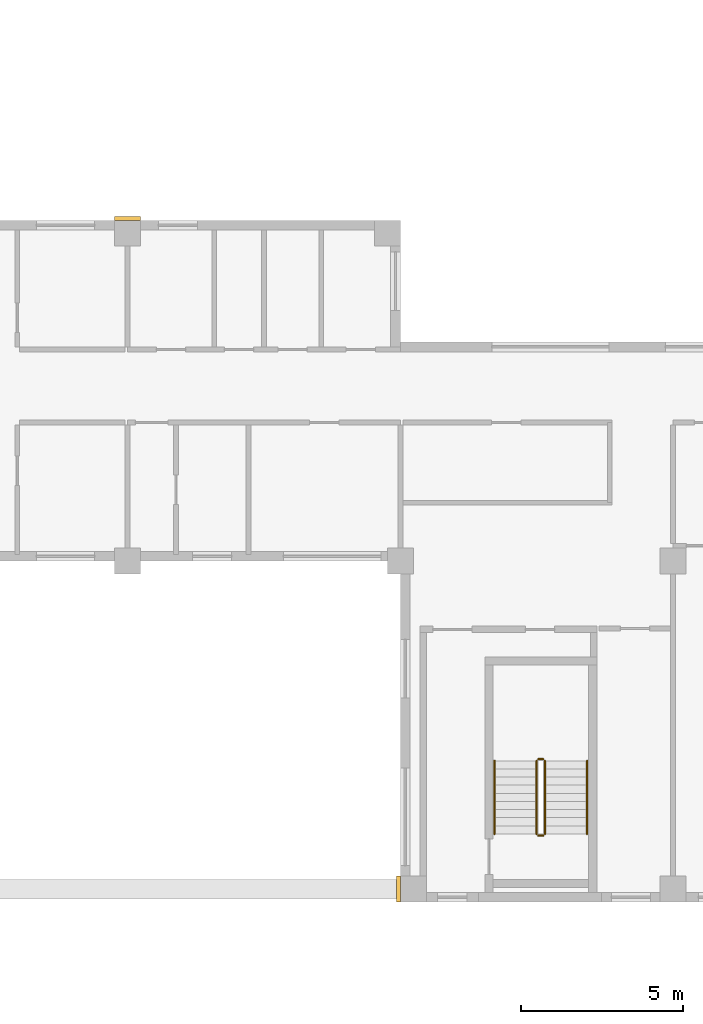
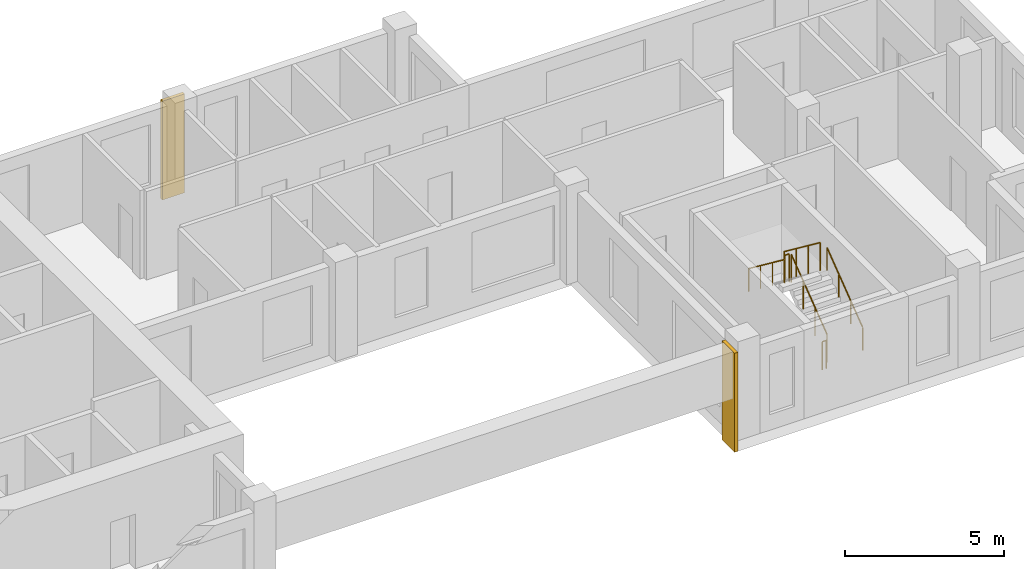
# One storey, part 10 of 11: 6 railings, 2 coverings.
"""IFC4 building model written with IfcOpenShell, lengths in metres."""

from ifc_helpers import new_model, si_unit, direction, frame, origin, origin_2d, place, context, subcontext, project, spatial, rectangle, circle, extrude, source, transform, mapped, material, type_object, element, save


model = new_model("IFC4")

# Units and contexts
model_context = context("Model", 3, precision=1e-05, world=origin(), true_north=direction((0.0, 1.0)))
body_context = subcontext(model_context, "Body", "Model", "MODEL_VIEW")
ifc_project = project(units=[si_unit("LENGTHUNIT", "METRE"), si_unit("AREAUNIT", "SQUARE_METRE"), si_unit("VOLUMEUNIT", "CUBIC_METRE"), si_unit("PLANEANGLEUNIT", "RADIAN"), si_unit("MASSUNIT", "GRAM", prefix="KILO")], contexts=[model_context])

# Site, building, storey
site_placement = place(None, origin())
site = spatial("IfcSite", under=ifc_project, at=site_placement, CompositionType="ELEMENT")
building_placement = place(site_placement, origin())
building = spatial("IfcBuilding", under=site, at=building_placement, Name="Aurelian Terraces", CompositionType="ELEMENT")
storey_placement = place(building_placement, frame((0.0, 0.0, 261.4)))
storey = spatial("IfcBuildingStorey", under=building, at=storey_placement, Name="L60", CompositionType="ELEMENT", Elevation=261.4)

# Coverings
ifc_material_1 = material(Name="Terracotta rainscreen cladding relief", Category="masonry")
covering_type = type_object("IfcCoveringType", Name="BAGUETTE-TC", PredefinedType="CLADDING", material=ifc_material_1)
shared_shape_1 = source(origin(), body_context, "Body", "SweptSolid", [
    extrude(rectangle(XDim=0.8, YDim=0.12, at=origin_2d()), origin(), (0.0, 0.0, 1.0), 3.8),
])
covering_1_placement = place(storey_placement, frame((29.4, 21.06, -0.4), z_axis=(0.0, 0.0, 1.0), x_axis=(1.0, 0.0, 0.0)))
element("IfcCovering", 1, at=covering_1_placement, inside=storey, type_object=covering_type, Name="BAGUETTE pier L60 4", PredefinedType="CLADDING", context=body_context, shape_type="MappedRepresentation", body=[
    mapped(shared_shape_1, transform((0.0, 0.0, 0.0), scale=1.0)),
])
shared_shape_2 = source(origin(), body_context, "Body", "SweptSolid", [
    extrude(rectangle(XDim=0.12, YDim=0.8, at=origin_2d()), origin(), (0.0, 0.0, 1.0), 3.8),
])
covering_2_placement = place(storey_placement, frame((37.74, 0.4, -0.4), z_axis=(0.0, 0.0, 1.0), x_axis=(1.0, 0.0, 0.0)))
element("IfcCovering", 2, at=covering_2_placement, inside=storey, type_object=covering_type, Name="BAGUETTE pier L60 2", PredefinedType="CLADDING", context=body_context, shape_type="MappedRepresentation", body=[
    mapped(shared_shape_2, transform((0.0, 0.0, 0.0), scale=1.0)),
])

# Railings
ifc_material_2 = material(Name="Stainless steel", Category="steel")
railing_type_1 = type_object("IfcRailingType", Name="Stair guard 1100", PredefinedType="GUARDRAIL", material=ifc_material_2)
shared_shape_3 = source(origin(), body_context, "Body", "SweptSolid", [
    extrude(circle(Radius=0.024, at=origin_2d()), frame((0.0, 0.0, 1.076), z_axis=(-1.0, 0.0, 0.0), x_axis=(0.0, -1.0, 0.0)), (0.0, 0.0, 1.0), 0.15),
    extrude(circle(Radius=0.021, at=origin_2d()), origin(), (0.0, 0.0, 1.0), 1.052),
    extrude(circle(Radius=0.021, at=origin_2d()), frame((-0.15, 0.0, 0.0)), (0.0, 0.0, 1.0), 1.052),
])
for number, where, name in (
    (3, (42.2, 4.4, 1.9), "L60 S2 stair guard 2"),
    (4, (42.2, 2.05, 0.0), "L60 S2 stair guard 4"),
):
    element("IfcRailing", number, at=place(storey_placement, frame(where)), inside=storey, type_object=railing_type_1, Name=name, PredefinedType="GUARDRAIL", context=body_context, shape_type="MappedRepresentation", body=[
        mapped(shared_shape_3, transform((0.0, 0.0, 0.0), scale=1.0)),
    ])
shared_shape_4 = source(origin(), body_context, "Body", "SweptSolid", [
    extrude(circle(Radius=0.024, at=origin_2d()), frame((0.0, 0.0, 1.076), z_axis=(0.0, 0.796162194123, 0.605083267534), x_axis=(-1.0, 0.0, 0.0)), (0.0, 0.0, 1.0), 2.8261),
    extrude(circle(Radius=0.021, at=origin_2d()), origin(), (0.0, 0.0, 1.0), 1.052),
    extrude(circle(Radius=0.021, at=origin_2d()), frame((0.0, 0.75, 0.57)), (0.0, 0.0, 1.0), 1.052),
    extrude(circle(Radius=0.021, at=origin_2d()), frame((0.0, 1.5, 1.14)), (0.0, 0.0, 1.0), 1.052),
    extrude(circle(Radius=0.021, at=origin_2d()), frame((0.0, 2.25, 1.71)), (0.0, 0.0, 1.0), 1.052),
])
railing_1_placement = place(storey_placement, frame((42.25, 2.1, 0.19)))
element("IfcRailing", 5, at=railing_1_placement, inside=storey, type_object=railing_type_1, Name="L60 S2 stair guard 1", PredefinedType="GUARDRAIL", context=body_context, shape_type="MappedRepresentation", body=[
    mapped(shared_shape_4, transform((0.0, 0.0, 0.0), scale=1.0)),
])
shared_shape_5 = source(origin(), body_context, "Body", "SweptSolid", [
    extrude(circle(Radius=0.024, at=origin_2d()), frame((0.0, 0.0, 1.076), z_axis=(0.0, -0.796162194123, 0.605083267534), x_axis=(1.0, 0.0, 0.0)), (0.0, 0.0, 1.0), 2.8261),
    extrude(circle(Radius=0.021, at=origin_2d()), origin(), (0.0, 0.0, 1.0), 1.052),
    extrude(circle(Radius=0.021, at=origin_2d()), frame((0.0, -0.75, 0.57)), (0.0, 0.0, 1.0), 1.052),
    extrude(circle(Radius=0.021, at=origin_2d()), frame((0.0, -1.5, 1.14)), (0.0, 0.0, 1.0), 1.052),
    extrude(circle(Radius=0.021, at=origin_2d()), frame((0.0, -2.25, 1.71)), (0.0, 0.0, 1.0), 1.052),
])
railing_2_placement = place(storey_placement, frame((42.0, 4.35, 2.09)))
element("IfcRailing", 6, at=railing_2_placement, inside=storey, type_object=railing_type_1, Name="L60 S2 stair guard 3", PredefinedType="GUARDRAIL", context=body_context, shape_type="MappedRepresentation", body=[
    mapped(shared_shape_5, transform((0.0, 0.0, 0.0), scale=1.0)),
])
railing_type_2 = type_object("IfcRailingType", Name="Stair handrail", PredefinedType="HANDRAIL", material=ifc_material_2)
shared_shape_6 = source(origin(), body_context, "Body", "SweptSolid", [
    extrude(circle(Radius=0.024, at=origin_2d()), frame((0.0, 0.0, 0.876), z_axis=(0.0, 0.796162194123, 0.605083267534), x_axis=(-1.0, 0.0, 0.0)), (0.0, 0.0, 1.0), 2.8261),
    extrude(circle(Radius=0.021, at=origin_2d()), origin(), (0.0, 0.0, 1.0), 0.852),
    extrude(circle(Radius=0.021, at=origin_2d()), frame((0.0, 0.75, 0.57)), (0.0, 0.0, 1.0), 0.852),
    extrude(circle(Radius=0.021, at=origin_2d()), frame((0.0, 1.5, 1.14)), (0.0, 0.0, 1.0), 0.852),
    extrude(circle(Radius=0.021, at=origin_2d()), frame((0.0, 2.25, 1.71)), (0.0, 0.0, 1.0), 0.852),
])
railing_3_placement = place(storey_placement, frame((43.55, 2.1, 0.19)))
element("IfcRailing", 7, at=railing_3_placement, inside=storey, type_object=railing_type_2, Name="L60 S2 stair handrail 1", PredefinedType="HANDRAIL", context=body_context, shape_type="MappedRepresentation", body=[
    mapped(shared_shape_6, transform((0.0, 0.0, 0.0), scale=1.0)),
])
shared_shape_7 = source(origin(), body_context, "Body", "SweptSolid", [
    extrude(circle(Radius=0.024, at=origin_2d()), frame((0.0, 0.0, 0.876), z_axis=(0.0, -0.796162194123, 0.605083267534), x_axis=(1.0, 0.0, 0.0)), (0.0, 0.0, 1.0), 2.8261),
    extrude(circle(Radius=0.021, at=origin_2d()), origin(), (0.0, 0.0, 1.0), 0.852),
    extrude(circle(Radius=0.021, at=origin_2d()), frame((0.0, -0.75, 0.57)), (0.0, 0.0, 1.0), 0.852),
    extrude(circle(Radius=0.021, at=origin_2d()), frame((0.0, -1.5, 1.14)), (0.0, 0.0, 1.0), 0.852),
    extrude(circle(Radius=0.021, at=origin_2d()), frame((0.0, -2.25, 1.71)), (0.0, 0.0, 1.0), 0.852),
])
railing_4_placement = place(storey_placement, frame((40.7, 4.35, 2.09)))
element("IfcRailing", 8, at=railing_4_placement, inside=storey, type_object=railing_type_2, Name="L60 S2 stair handrail 2", PredefinedType="HANDRAIL", context=body_context, shape_type="MappedRepresentation", body=[
    mapped(shared_shape_7, transform((0.0, 0.0, 0.0), scale=1.0)),
])

save(model, "model.ifc")
